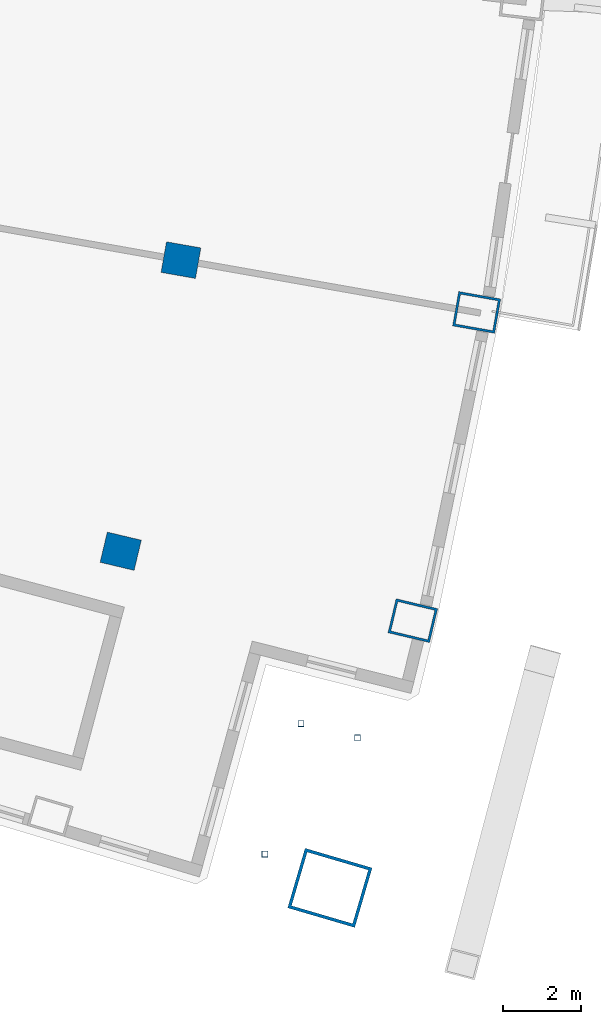
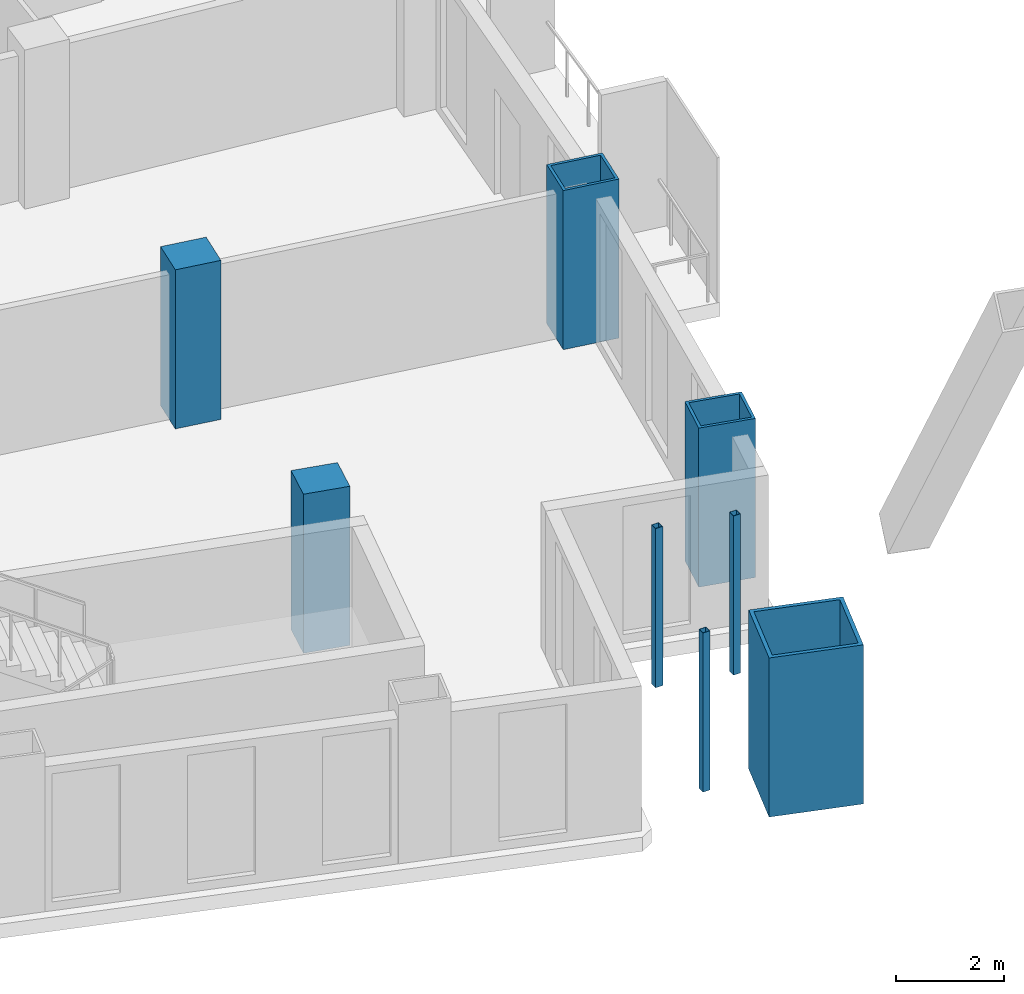
# One storey, part 3 of 19: 8 columns.
"""IFC4 building model written with IfcOpenShell, lengths in metres."""

from ifc_helpers import new_model, si_unit, direction, frame, origin, origin_2d, place, context, subcontext, project, spatial, rectangle, hollow_rectangle, extrude, material, material_profile, profile_set, type_object, element, save


model = new_model("IFC4")

# Units and contexts
model_context = context("Model", 3, precision=1e-05, world=origin(), true_north=direction((0.0, 1.0)))
body_context = subcontext(model_context, "Body", "Model", "MODEL_VIEW")
ifc_project = project(units=[si_unit("LENGTHUNIT", "METRE"), si_unit("AREAUNIT", "SQUARE_METRE"), si_unit("VOLUMEUNIT", "CUBIC_METRE"), si_unit("PLANEANGLEUNIT", "RADIAN"), si_unit("MASSUNIT", "GRAM", prefix="KILO")], contexts=[model_context])

# Site, building, storey
site_placement = place(None, origin())
site = spatial("IfcSite", under=ifc_project, at=site_placement, CompositionType="ELEMENT")
building_placement = place(site_placement, origin())
building = spatial("IfcBuilding", under=site, at=building_placement, Name="Alderwake Tower", CompositionType="ELEMENT")
storey_placement = place(building_placement, frame((0.0, 0.0, 171.199951171875)))
storey = spatial("IfcBuildingStorey", under=building, at=storey_placement, Name="L42", CompositionType="ELEMENT", Elevation=171.199951171875)

# Columns
ifc_material_1 = material(Name="Concrete C70/85", Category="concrete")
ifc_material_profile_1 = material_profile(ifc_material_1, rectangle(XDim=0.800048828125, YDim=0.89990234375, at=origin_2d()), Name="RC 900X800")
ifc_profile_set_1 = profile_set([ifc_material_profile_1], Name="Concrete C70/85")
column_type_1 = type_object("IfcColumnType", Name="Interior column Z3", PredefinedType="COLUMN", material=ifc_profile_set_1)
for number, where, z_axis, x_axis, name in (
    (1, (47.70947265625, 30.648193359375, 0.0), (0.0, 0.0, 1.0), (0.231221547198, 0.972901123502, 0.0), "Column R03-C4"),
    (2, (49.26171875, 38.1455078125, 0.0), (0.0, 0.0, 1.0), (0.174108800747, 0.984726421654, 0.0), "Column R04-C4"),
):
    element("IfcColumn", number, at=place(storey_placement, frame(where, z_axis=z_axis, x_axis=x_axis)), inside=storey, type_object=column_type_1, Name=name, PredefinedType="COLUMN", context=body_context, shape_type="SweptSolid", body=[
        extrude(rectangle(XDim=0.800048828125, YDim=0.89990234375, at=origin_2d()), origin(), (0.0, 0.0, 1.0), 3.60009765625),
    ])
ifc_material_2 = material(Name="Steel ASTM A500 Grade C", Category="steel")
ifc_material_profile_2 = material_profile(ifc_material_2, hollow_rectangle(XDim=0.15234375, YDim=0.15234375, WallThickness=0.0087890625, at=origin_2d()), Name="HSS6X6X3/8")
ifc_profile_set_2 = profile_set([ifc_material_profile_2], Name="Steel ASTM A500 Grade C")
column_type_2 = type_object("IfcColumnType", Name="Light post HSS6X6X3/8", PredefinedType="COLUMN", material=ifc_profile_set_2)
for number, where, z_axis, x_axis, name in (
    (3, (53.807861328125, 25.840576171875, 0.0), (0.0, 0.0, 1.0), (1.0, 0.0, 0.0), "Terrace post FS1"),
    (4, (51.42431640625, 22.847900390625, 0.0), (0.0, 0.0, 1.0), (1.0, 0.0, 0.0), "Terrace post FS2"),
    (5, (52.353759765625, 26.208740234375, 0.0), (0.0, 0.0, 1.0), (1.0, 0.0, 0.0), "Terrace post FS3"),
):
    element("IfcColumn", number, at=place(storey_placement, frame(where, z_axis=z_axis, x_axis=x_axis)), inside=storey, type_object=column_type_2, Name=name, PredefinedType="COLUMN", context=body_context, shape_type="SweptSolid", body=[
        extrude(hollow_rectangle(XDim=0.15234375, YDim=0.15234375, WallThickness=0.0087890625, at=origin_2d()), origin(), (0.0, 0.0, 1.0), 3.60009765625),
    ])
ifc_material_3 = material(Name="Steel ASTM A572 Grade 50 concrete filled C70/85", Category="concrete")
ifc_material_profile_3 = material_profile(ifc_material_3, hollow_rectangle(XDim=1.60009765625, YDim=1.800048828125, WallThickness=0.080078125, at=origin_2d()), Name="BOX 1800X1600X80")
ifc_profile_set_3 = profile_set([ifc_material_profile_3], Name="Steel ASTM A572 Grade 50 concrete filled C70/85")
column_type_3 = type_object("IfcColumnType", Name="Mega column Z3", PredefinedType="COLUMN", material=ifc_profile_set_3)
column_placement = place(storey_placement, frame((53.09765625, 21.977783203125, 0.0), z_axis=(0.0, 0.0, 1.0), x_axis=(0.281341735468, 0.959607642677, 0.0)))
element("IfcColumn", 6, at=column_placement, inside=storey, type_object=column_type_3, Name="Column R02-C5", PredefinedType="COLUMN", context=body_context, shape_type="SweptSolid", body=[
    extrude(hollow_rectangle(XDim=1.60009765625, YDim=1.800048828125, WallThickness=0.080078125, at=origin_2d()), origin(), (0.0, 0.0, 1.0), 3.60009765625),
])
ifc_material_4 = material(Name="Steel ASTM A572 Grade 50 concrete filled C70/85", Category="concrete")
ifc_material_profile_4 = material_profile(ifc_material_4, hollow_rectangle(XDim=0.89990234375, YDim=1.10009765625, WallThickness=0.06005859375, at=origin_2d()), Name="BOX 1100X900X60")
ifc_profile_set_4 = profile_set([ifc_material_profile_4], Name="Steel ASTM A572 Grade 50 concrete filled C70/85")
column_type_4 = type_object("IfcColumnType", Name="Perimeter column Z3", PredefinedType="COLUMN", material=ifc_profile_set_4)
for number, where, z_axis, x_axis, name in (
    (7, (55.233154296875, 28.860107421875, 0.0), (0.0, 0.0, 1.0), (0.231221547198, 0.972901123502, 0.0), "Column R03-C5"),
    (8, (56.876953125, 36.799072265625, 0.0), (0.0, 0.0, 1.0), (0.174107082075, 0.984726725529, 0.0), "Column R04-C5"),
):
    element("IfcColumn", number, at=place(storey_placement, frame(where, z_axis=z_axis, x_axis=x_axis)), inside=storey, type_object=column_type_4, Name=name, PredefinedType="COLUMN", context=body_context, shape_type="SweptSolid", body=[
        extrude(hollow_rectangle(XDim=0.89990234375, YDim=1.10009765625, WallThickness=0.06005859375, at=origin_2d()), origin(), (0.0, 0.0, 1.0), 3.60009765625),
    ])

save(model, "model.ifc")
